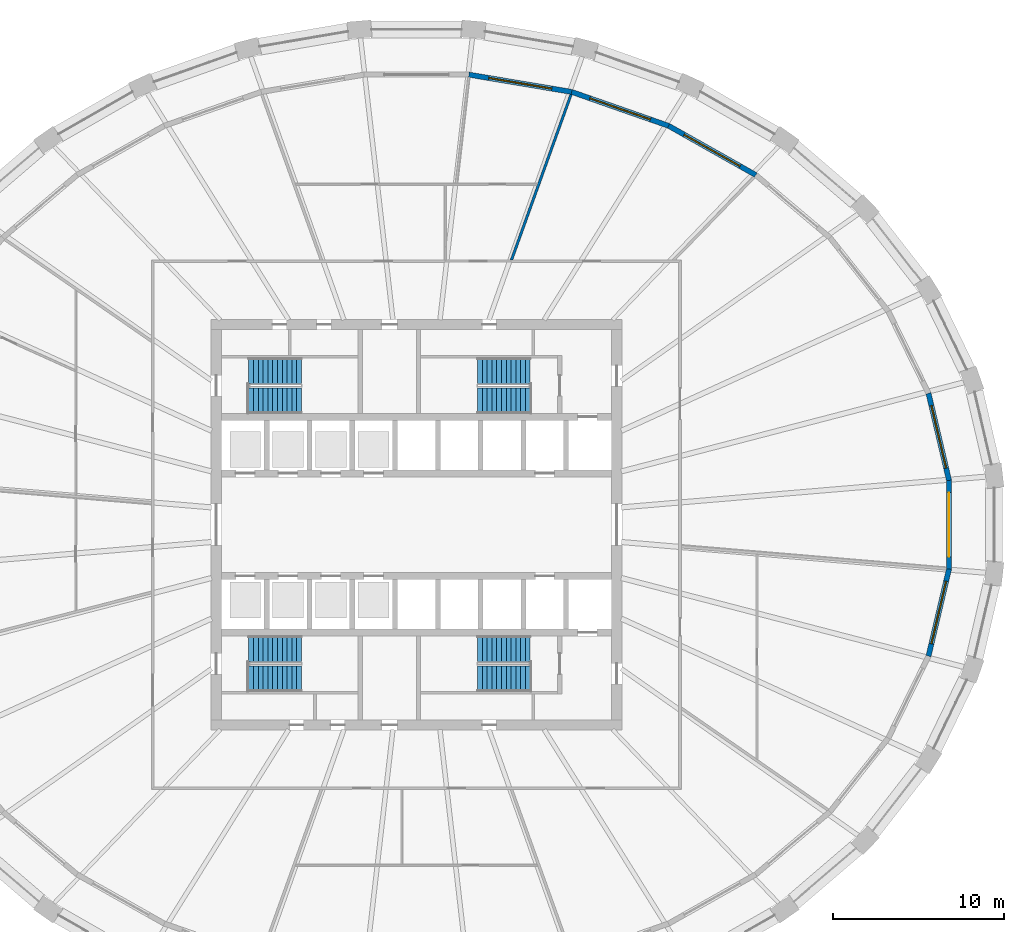
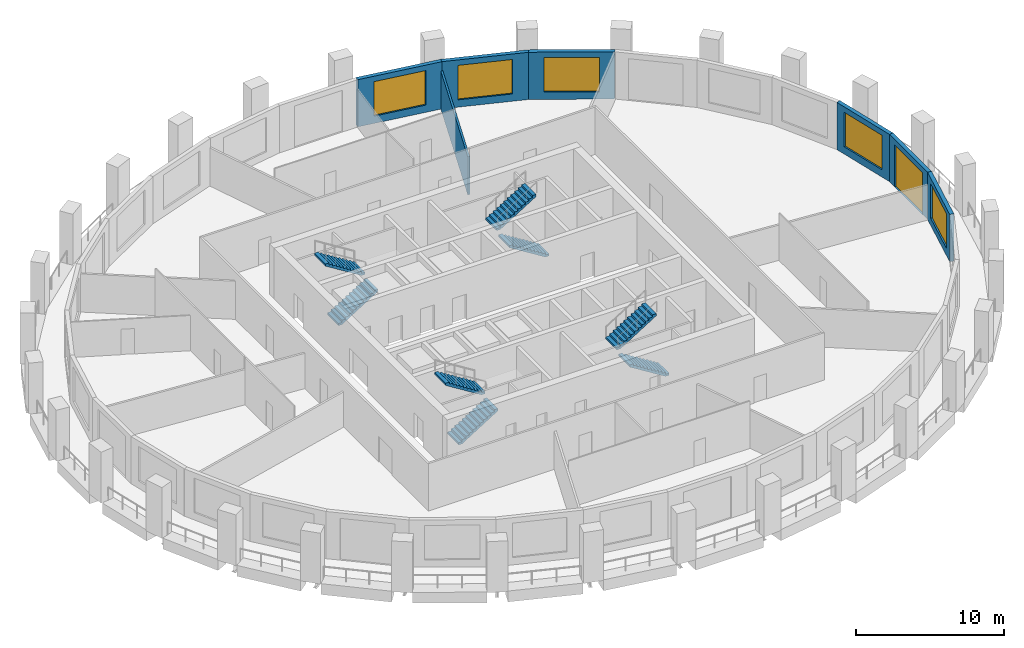
# One storey, part 7 of 10: 8 stair flights, 7 walls, 5 windows, 1 door, 6 openings, 4 elements without a shape of their own.
"""IFC4 building model written with IfcOpenShell, lengths in metres."""

from ifc_helpers import new_model, si_unit, direction, frame, frame_2d, origin, place, context, subcontext, project, spatial, polyline, rectangle, outline, extrude, material, layer, layer_set, type_object, element, fill, aggregate, save


model = new_model("IFC4")

# Units and contexts
model_context = context("Model", 3, precision=1e-05, world=origin(), true_north=direction((0.0, 1.0)))
body_context = subcontext(model_context, "Body", "Model", "MODEL_VIEW")
ifc_project = project(units=[si_unit("LENGTHUNIT", "METRE"), si_unit("AREAUNIT", "SQUARE_METRE"), si_unit("VOLUMEUNIT", "CUBIC_METRE"), si_unit("PLANEANGLEUNIT", "RADIAN"), si_unit("MASSUNIT", "GRAM", prefix="KILO")], contexts=[model_context])

# Site, building, storey
site_placement = place(None, origin())
site = spatial("IfcSite", under=ifc_project, at=site_placement, CompositionType="ELEMENT")
building_placement = place(site_placement, origin())
building = spatial("IfcBuilding", under=site, at=building_placement, Name="Halqa Exchange Tower", CompositionType="ELEMENT")
storey_placement = place(building_placement, frame((0.0, 0.0, 154.89990234375)))
storey = spatial("IfcBuildingStorey", under=building, at=storey_placement, Name="L35", CompositionType="ELEMENT", Elevation=154.89990234375)

# Wall
ifc_material_1 = material(Name="Fire-rated gypsum board")
ifc_layer_1 = layer(ifc_material_1, 0.14990234375)
ifc_layer_set_1 = layer_set([ifc_layer_1], Name="Fire-rated gypsum board")
wall_type_1 = type_object("IfcWallType", Name="Fire partition EI 60 150", PredefinedType="PARTITIONING", material=ifc_layer_set_1)
wall_1_placement = place(storey_placement, frame((5.54248046875, 15.434814453125, 0.0), z_axis=(0.0, 0.0, 1.0), x_axis=(0.338661655399, 0.940908222497, 0.0)))
element("IfcWall", 1, at=wall_1_placement, inside=storey, type_object=wall_type_1, Name="L35-PWL-019", PredefinedType="PARTITIONING", context=body_context, shape_type="SweptSolid", body=[
    extrude(outline(polyline([(10.318115234375, -0.074951171875), (10.318115234375, -0.04296875), (10.317626953125, 0.0029296875), (10.3046875, 0.074951171875), (8.4599609375, 0.074951171875), (6.615234375, 0.074951171875), (4.770263671875, 0.074951171875), (4.677490234375, 0.04150390625), (4.66552734375, 0.074951171875), (3.1103515625, 0.074951171875), (1.55517578125, 0.074951171875), (0.0, 0.074951171875), (0.0, 0.074462890625), (0.01953125, 0.020263671875), (0.03369140625, 0.025390625), (0.069580078125, -0.074951171875), (1.77783203125, -0.074951171875), (3.48583984375, -0.074951171875), (5.19384765625, -0.074951171875), (6.90185546875, -0.074951171875), (8.610107421875, -0.074951171875), (10.318115234375, -0.074951171875)])), origin(), (0.0, 0.0, 1.0), 3.147216796875),
])

# Wall, opening, window
ifc_material_2 = material(Name="Limestone cladding", Category="masonry")
ifc_layer_2 = layer(ifc_material_2, 0.0400390625)
ifc_material_3 = material(Name="Ventilated cavity")
ifc_layer_3 = layer(ifc_material_3, 0.030029296875, ventilated=True)
ifc_material_4 = material(Name="Mineral wool insulation")
ifc_layer_4 = layer(ifc_material_4, 0.10009765625)
ifc_material_5 = material(Name="Concrete C30/37", Category="concrete")
ifc_layer_5 = layer(ifc_material_5, 0.10009765625)
ifc_material_6 = material(Name="Internal plaster")
ifc_layer_6 = layer(ifc_material_6, 0.030029296875)
ifc_layer_set_2 = layer_set([ifc_layer_2, ifc_layer_3, ifc_layer_4, ifc_layer_5, ifc_layer_6], Name="Stone-faced insulated wall 300")
wall_type_2 = type_object("IfcWallType", Name="Stone-faced insulated wall 300", PredefinedType="STANDARD", material=ifc_layer_set_2)
wall_2_placement = place(storey_placement, frame((31.12109375, 2.5927734375, 0.0), z_axis=(0.0, 0.0, 1.0), x_axis=(-0.229297175564, 0.973356463624, 0.0)))
wall_2 = element("IfcWall", 2, at=wall_2_placement, inside=storey, type_object=wall_type_2, Name="Glass-line wall 1", PredefinedType="STANDARD", context=body_context, shape_type="SweptSolid", body=[
    extrude(outline(polyline([(-0.017333984375, -0.14990234375), (5.241455078125, -0.14990234375), (5.207763671875, 0.14990234375), (0.017333984375, 0.14990234375), (-0.017333984375, -0.14990234375)])), origin(), (0.0, 0.0, 1.0), 3.900146484375),
])
opening_1_placement = place(wall_2_placement, frame((0.7373046875, 0.0, 0.60009765625)))
opening_1 = element("IfcOpeningElement", 3, at=opening_1_placement, cuts=wall_2, Name="Opening W-F2-01", PredefinedType="OPENING", context=body_context, shape_type="SweptSolid", body=[
    extrude(rectangle(XDim=3.75, YDim=2.85009765625, at=frame_2d((1.875, 1.425048828125))), frame((0.0, 0.162109375, 0.0), z_axis=(0.0, -1.0, 0.0), x_axis=(1.0, 0.0, 0.0)), (0.0, 0.0, 1.0), 0.323974609375),
])
ifc_material_7 = material(Name="Clear low-emissivity glass in aluminium frame", Category="aluminium")
window_type = type_object("IfcWindowType", Name="Fixed clear glazed window 3750 x 2850", PartitioningType="TRIPLE_PANEL_VERTICAL", PredefinedType="WINDOW", material=ifc_material_7)
window_1_placement = place(opening_1_placement, origin())
window_1 = element("IfcWindow", 4, at=window_1_placement, inside=storey, type_object=window_type, Name="Window 2", OverallHeight=2.85009765625, OverallWidth=3.75, PartitioningType="TRIPLE_PANEL_VERTICAL", PredefinedType="WINDOW", context=body_context, shape_type="SweptSolid", body=[
    extrude(rectangle(XDim=3.75, YDim=2.85009765625, at=frame_2d((1.875, 1.425048828125))), frame((0.0, 0.030029296875, 0.0), z_axis=(0.0, -1.0, 0.0), x_axis=(1.0, 0.0, 0.0)), (0.0, 0.0, 1.0), 0.06005859375),
])
fill(opening_1, window_1)

wall_3_placement = place(storey_placement, frame((19.8291015625, 20.434814453125, 0.0), z_axis=(0.0, 0.0, 1.0), x_axis=(-0.870982130072, 0.491314694565, 0.0)))
wall_3 = element("IfcWall", 5, at=wall_3_placement, inside=storey, type_object=wall_type_2, Name="Glass-line wall 5", PredefinedType="STANDARD", context=body_context, shape_type="SweptSolid", body=[
    extrude(outline(polyline([(-0.01416015625, -0.14990234375), (5.864990234375, -0.14990234375), (5.838134765625, 0.14990234375), (0.01416015625, 0.14990234375), (-0.01416015625, -0.14990234375)])), origin(), (0.0, 0.0, 1.0), 3.900146484375),
])
opening_2_placement = place(wall_3_placement, frame((1.05078125, 0.0, 0.60009765625)))
opening_2 = element("IfcOpeningElement", 6, at=opening_2_placement, cuts=wall_3, Name="Opening W-F2-05", PredefinedType="OPENING", context=body_context, shape_type="SweptSolid", body=[
    extrude(rectangle(XDim=3.75, YDim=2.85009765625, at=frame_2d((1.875, 1.425048828125))), frame((0.0, 0.162109375, 0.0), z_axis=(0.0, -1.0, 0.0), x_axis=(1.0, 0.0, 0.0)), (0.0, 0.0, 1.0), 0.323974609375),
])
window_2_placement = place(opening_2_placement, origin())
window_2 = element("IfcWindow", 7, at=window_2_placement, inside=storey, type_object=window_type, Name="Window 2", OverallHeight=2.85009765625, OverallWidth=3.75, PartitioningType="TRIPLE_PANEL_VERTICAL", PredefinedType="WINDOW", context=body_context, shape_type="SweptSolid", body=[
    extrude(rectangle(XDim=3.75, YDim=2.85009765625, at=frame_2d((1.875, 1.425048828125))), frame((0.0, 0.030029296875, 0.0), z_axis=(0.0, -1.0, 0.0), x_axis=(1.0, 0.0, 0.0)), (0.0, 0.0, 1.0), 0.06005859375),
])
fill(opening_2, window_2)

wall_4_placement = place(storey_placement, frame((14.732421875, 23.309814453125, 0.0), z_axis=(0.0, 0.0, 1.0), x_axis=(-0.943944636678, 0.330103806228, 0.0)))
wall_4 = element("IfcWall", 8, at=wall_4_placement, inside=storey, type_object=wall_type_2, Name="Glass-line wall 6", PredefinedType="STANDARD", context=body_context, shape_type="SweptSolid", body=[
    extrude(outline(polyline([(-0.013427734375, -0.14990234375), (6.010009765625, -0.14990234375), (5.984619140625, 0.14990234375), (0.013427734375, 0.14990234375), (-0.013427734375, -0.14990234375)])), origin(), (0.0, 0.0, 1.0), 3.900146484375),
])
opening_3_placement = place(wall_4_placement, frame((1.12353515625, 0.0, 0.60009765625)))
opening_3 = element("IfcOpeningElement", 9, at=opening_3_placement, cuts=wall_4, Name="Opening W-F2-06", PredefinedType="OPENING", context=body_context, shape_type="SweptSolid", body=[
    extrude(rectangle(XDim=3.75, YDim=2.85009765625, at=frame_2d((1.875, 1.425048828125))), frame((0.0, 0.162109375, 0.0), z_axis=(0.0, -1.0, 0.0), x_axis=(1.0, 0.0, 0.0)), (0.0, 0.0, 1.0), 0.323974609375),
])
window_3_placement = place(opening_3_placement, origin())
window_3 = element("IfcWindow", 10, at=window_3_placement, inside=storey, type_object=window_type, Name="Window 2", OverallHeight=2.85009765625, OverallWidth=3.75, PartitioningType="TRIPLE_PANEL_VERTICAL", PredefinedType="WINDOW", context=body_context, shape_type="SweptSolid", body=[
    extrude(rectangle(XDim=3.75, YDim=2.85009765625, at=frame_2d((1.875, 1.425048828125))), frame((0.0, 0.030029296875, 0.0), z_axis=(0.0, -1.0, 0.0), x_axis=(1.0, 0.0, 0.0)), (0.0, 0.0, 1.0), 0.06005859375),
])
fill(opening_3, window_3)

wall_5_placement = place(storey_placement, frame((9.0712890625, 25.28955078125, 0.0), z_axis=(0.0, 0.0, 1.0), x_axis=(-0.98618955457, 0.165620537547, 0.0)))
wall_5 = element("IfcWall", 11, at=wall_5_placement, inside=storey, type_object=wall_type_2, Name="Glass-line wall 7", PredefinedType="STANDARD", context=body_context, shape_type="SweptSolid", body=[
    extrude(outline(polyline([(-0.0126953125, -0.14990234375), (6.10498046875, -0.14990234375), (6.080078125, 0.14990234375), (0.0126953125, 0.14990234375), (-0.0126953125, -0.14990234375)])), origin(), (0.0, 0.0, 1.0), 3.900146484375),
])
opening_4_placement = place(wall_5_placement, frame((1.17138671875, 0.0, 0.60009765625)))
opening_4 = element("IfcOpeningElement", 12, at=opening_4_placement, cuts=wall_5, Name="Opening W-F2-07", PredefinedType="OPENING", context=body_context, shape_type="SweptSolid", body=[
    extrude(rectangle(XDim=3.75, YDim=2.85009765625, at=frame_2d((1.875, 1.425048828125))), frame((0.0, 0.162109375, 0.0), z_axis=(0.0, -1.0, 0.0), x_axis=(1.0, 0.0, 0.0)), (0.0, 0.0, 1.0), 0.323974609375),
])
window_4_placement = place(opening_4_placement, origin())
window_4 = element("IfcWindow", 13, at=window_4_placement, inside=storey, type_object=window_type, Name="Window 2", OverallHeight=2.85009765625, OverallWidth=3.75, PartitioningType="TRIPLE_PANEL_VERTICAL", PredefinedType="WINDOW", context=body_context, shape_type="SweptSolid", body=[
    extrude(rectangle(XDim=3.75, YDim=2.85009765625, at=frame_2d((1.875, 1.425048828125))), frame((0.0, 0.030029296875, 0.0), z_axis=(0.0, -1.0, 0.0), x_axis=(1.0, 0.0, 0.0)), (0.0, 0.0, 1.0), 0.06005859375),
])
fill(opening_4, window_4)

wall_6_placement = place(storey_placement, frame((29.923095703125, -7.67822265625, 0.0), z_axis=(0.0, 0.0, 1.0), x_axis=(0.229297175564, 0.973356463624, 0.0)))
wall_6 = element("IfcWall", 14, at=wall_6_placement, inside=storey, type_object=wall_type_2, Name="Glass-line wall 31", PredefinedType="STANDARD", context=body_context, shape_type="SweptSolid", body=[
    extrude(outline(polyline([(-0.016845703125, -0.14990234375), (5.241943359375, -0.14990234375), (5.207275390625, 0.14990234375), (0.016845703125, 0.14990234375), (-0.016845703125, -0.14990234375)])), origin(), (0.0, 0.0, 1.0), 3.900146484375),
])
opening_5_placement = place(wall_6_placement, frame((0.7373046875, 0.0, 0.60009765625)))
opening_5 = element("IfcOpeningElement", 15, at=opening_5_placement, cuts=wall_6, Name="Opening W-F2-31", PredefinedType="OPENING", context=body_context, shape_type="SweptSolid", body=[
    extrude(rectangle(XDim=3.75, YDim=2.85009765625, at=frame_2d((1.875, 1.425048828125))), frame((0.0, 0.162109375, 0.0), z_axis=(0.0, -1.0, 0.0), x_axis=(1.0, 0.0, 0.0)), (0.0, 0.0, 1.0), 0.323974609375),
])
window_5_placement = place(opening_5_placement, origin())
window_5 = element("IfcWindow", 16, at=window_5_placement, inside=storey, type_object=window_type, Name="Window 2", OverallHeight=2.85009765625, OverallWidth=3.75, PartitioningType="TRIPLE_PANEL_VERTICAL", PredefinedType="WINDOW", context=body_context, shape_type="SweptSolid", body=[
    extrude(rectangle(XDim=3.75, YDim=2.85009765625, at=frame_2d((1.875, 1.425048828125))), frame((0.0, 0.030029296875, 0.0), z_axis=(0.0, -1.0, 0.0), x_axis=(1.0, 0.0, 0.0)), (0.0, 0.0, 1.0), 0.06005859375),
])
fill(opening_5, window_5)

# Wall, opening, door
wall_7_placement = place(storey_placement, frame((31.12109375, -2.5927734375, 0.0), z_axis=(0.0, 0.0, 1.0), x_axis=(0.0, 1.0, 0.0)))
wall_7 = element("IfcWall", 17, at=wall_7_placement, inside=storey, type_object=wall_type_2, Name="Glass-line wall 32", PredefinedType="STANDARD", context=body_context, shape_type="SweptSolid", body=[
    extrude(outline(polyline([(-0.017333984375, -0.14990234375), (5.202880859375, -0.14990234375), (5.168212890625, 0.14990234375), (0.017333984375, 0.14990234375), (-0.017333984375, -0.14990234375)])), origin(), (0.0, 0.0, 1.0), 3.900146484375),
])
opening_6_placement = place(wall_7_placement, frame((0.7177734375, 0.0, 0.0)))
opening_6 = element("IfcOpeningElement", 18, at=opening_6_placement, cuts=wall_7, Name="Opening LG-F2-08", PredefinedType="OPENING", context=body_context, shape_type="SweptSolid", body=[
    extrude(rectangle(XDim=3.75, YDim=3.449951171875, at=frame_2d((1.875, 1.72509765625))), frame((0.0, 0.162109375, 0.0), z_axis=(0.0, -1.0, 0.0), x_axis=(1.0, 0.0, 0.0)), (0.0, 0.0, 1.0), 0.323974609375),
])
door_type = type_object("IfcDoorType", Name="Glazed sliding loggia door 3750 x 3450", OperationType="DOUBLE_DOOR_SLIDING", PredefinedType="DOOR", material=ifc_material_7)
door_placement = place(opening_6_placement, origin())
door = element("IfcDoor", 19, at=door_placement, inside=storey, type_object=door_type, Name="Loggia door 8", OperationType="DOUBLE_DOOR_SLIDING", OverallHeight=3.449951171875, OverallWidth=3.75, PredefinedType="DOOR", context=body_context, shape_type="SweptSolid", body=[
    extrude(rectangle(XDim=3.75, YDim=3.449951171875, at=frame_2d((1.875, 1.72509765625))), frame((0.0, 0.02490234375, 0.0), z_axis=(0.0, -1.0, 0.0), x_axis=(1.0, 0.0, 0.0)), (0.0, 0.0, 1.0), 0.050048828125),
])
fill(opening_6, door)

# Stair, stair flights
stair_type = type_object("IfcStairType", Name="Exit stair 1500 wide", PredefinedType="HALF_TURN_STAIR", material=ifc_material_5)
stair_1_placement = place(storey_placement, origin())
stair_1 = element("IfcStair", 20, at=stair_1_placement, inside=storey, type_object=stair_type, Name="Exit stair ST1", PredefinedType="HALF_TURN_STAIR")
stair_flight_type = type_object("IfcStairFlightType", Name="Stair flight 1500 wide", PredefinedType="STRAIGHT", material=ifc_material_5)
stair_flight_1_placement = place(storey_placement, frame((-9.800048828125, 7.25, 0.0), z_axis=(0.0, 0.0, 1.0), x_axis=(1.0, 0.0, 0.0)))
stair_flight_1 = element("IfcStairFlight", 21, at=stair_flight_1_placement, type_object=stair_flight_type, Name="ST1 flight 1", NumberOfRisers=12, NumberOfTreads=11, PredefinedType="STRAIGHT", RiserHeight=0.175, TreadLength=0.28, context=body_context, shape_type="SweptSolid", body=[
    extrude(outline(polyline([(0.0, 0.0), (0.0, 0.175048828125), (0.280029296875, 0.175048828125), (0.280029296875, 0.35009765625), (0.56005859375, 0.35009765625), (0.56005859375, 0.52490234375), (0.840087890625, 0.52490234375), (0.840087890625, 0.699951171875), (1.1201171875, 0.699951171875), (1.1201171875, 0.875), (1.39990234375, 0.875), (1.39990234375, 1.050048828125), (1.679931640625, 1.050048828125), (1.679931640625, 1.22509765625), (1.9599609375, 1.22509765625), (1.9599609375, 1.39990234375), (2.239990234375, 1.39990234375), (2.239990234375, 1.574951171875), (2.52001953125, 1.574951171875), (2.52001953125, 1.75), (2.800048828125, 1.75), (2.800048828125, 1.925048828125), (3.080078125, 1.925048828125), (3.080078125, 2.10009765625), (3.080078125, 1.748291015625), (0.28271484375, 0.0), (0.0, 0.0)])), frame((0.0, 0.75, 0.0), z_axis=(0.0, -1.0, 0.0), x_axis=(1.0, 0.0, 0.0)), (0.0, 0.0, 1.0), 1.5),
])
stair_flight_2_placement = place(storey_placement, frame((-6.719970703125, 9.0, 2.10009765625), z_axis=(0.0, 0.0, 1.0), x_axis=(-1.0, 0.0, 0.0)))
stair_flight_2 = element("IfcStairFlight", 22, at=stair_flight_2_placement, type_object=stair_flight_type, Name="ST1 flight 2", NumberOfRisers=12, NumberOfTreads=11, PredefinedType="STRAIGHT", RiserHeight=0.175, TreadLength=0.28, context=body_context, shape_type="SweptSolid", body=[
    extrude(outline(polyline([(0.0, 0.0), (0.0, 0.175048828125), (0.280029296875, 0.175048828125), (0.280029296875, 0.35009765625), (0.56005859375, 0.35009765625), (0.56005859375, 0.52490234375), (0.840087890625, 0.52490234375), (0.840087890625, 0.699951171875), (1.1201171875, 0.699951171875), (1.1201171875, 0.875), (1.39990234375, 0.875), (1.39990234375, 1.050048828125), (1.679931640625, 1.050048828125), (1.679931640625, 1.22509765625), (1.9599609375, 1.22509765625), (1.9599609375, 1.39990234375), (2.239990234375, 1.39990234375), (2.239990234375, 1.574951171875), (2.52001953125, 1.574951171875), (2.52001953125, 1.75), (2.800048828125, 1.75), (2.800048828125, 1.925048828125), (3.080078125, 1.925048828125), (3.080078125, 2.10009765625), (3.080078125, 1.748291015625), (0.28271484375, 0.0), (0.0, 0.0)])), frame((0.0, 0.75, 0.0), z_axis=(0.0, -1.0, 0.0), x_axis=(1.0, 0.0, 0.0)), (0.0, 0.0, 1.0), 1.5),
])
aggregate(stair_1, [stair_flight_1, stair_flight_2])

stair_2_placement = place(storey_placement, origin())
stair_2 = element("IfcStair", 23, at=stair_2_placement, inside=storey, type_object=stair_type, Name="Exit stair ST2", PredefinedType="HALF_TURN_STAIR")
stair_flight_3_placement = place(storey_placement, frame((6.64990234375, 7.25, 0.0), z_axis=(0.0, 0.0, 1.0), x_axis=(-1.0, 0.0, 0.0)))
stair_flight_3 = element("IfcStairFlight", 24, at=stair_flight_3_placement, type_object=stair_flight_type, Name="ST2 flight 1", NumberOfRisers=12, NumberOfTreads=11, PredefinedType="STRAIGHT", RiserHeight=0.175, TreadLength=0.28, context=body_context, shape_type="SweptSolid", body=[
    extrude(outline(polyline([(0.0, 0.0), (0.0, 0.175048828125), (0.280029296875, 0.175048828125), (0.280029296875, 0.35009765625), (0.56005859375, 0.35009765625), (0.56005859375, 0.52490234375), (0.840087890625, 0.52490234375), (0.840087890625, 0.699951171875), (1.1201171875, 0.699951171875), (1.1201171875, 0.875), (1.39990234375, 0.875), (1.39990234375, 1.050048828125), (1.679931640625, 1.050048828125), (1.679931640625, 1.22509765625), (1.9599609375, 1.22509765625), (1.9599609375, 1.39990234375), (2.239990234375, 1.39990234375), (2.239990234375, 1.574951171875), (2.52001953125, 1.574951171875), (2.52001953125, 1.75), (2.800048828125, 1.75), (2.800048828125, 1.925048828125), (3.080078125, 1.925048828125), (3.080078125, 2.10009765625), (3.080078125, 1.748291015625), (0.28271484375, 0.0), (0.0, 0.0)])), frame((0.0, 0.75, 0.0), z_axis=(0.0, -1.0, 0.0), x_axis=(1.0, 0.0, 0.0)), (0.0, 0.0, 1.0), 1.5),
])
stair_flight_4_placement = place(storey_placement, frame((3.570068359375, 9.0, 2.10009765625), z_axis=(0.0, 0.0, 1.0), x_axis=(1.0, 0.0, 0.0)))
stair_flight_4 = element("IfcStairFlight", 25, at=stair_flight_4_placement, type_object=stair_flight_type, Name="ST2 flight 2", NumberOfRisers=12, NumberOfTreads=11, PredefinedType="STRAIGHT", RiserHeight=0.175, TreadLength=0.28, context=body_context, shape_type="SweptSolid", body=[
    extrude(outline(polyline([(0.0, 0.0), (0.0, 0.175048828125), (0.280029296875, 0.175048828125), (0.280029296875, 0.35009765625), (0.56005859375, 0.35009765625), (0.56005859375, 0.52490234375), (0.840087890625, 0.52490234375), (0.840087890625, 0.699951171875), (1.1201171875, 0.699951171875), (1.1201171875, 0.875), (1.39990234375, 0.875), (1.39990234375, 1.050048828125), (1.679931640625, 1.050048828125), (1.679931640625, 1.22509765625), (1.9599609375, 1.22509765625), (1.9599609375, 1.39990234375), (2.239990234375, 1.39990234375), (2.239990234375, 1.574951171875), (2.52001953125, 1.574951171875), (2.52001953125, 1.75), (2.800048828125, 1.75), (2.800048828125, 1.925048828125), (3.080078125, 1.925048828125), (3.080078125, 2.10009765625), (3.080078125, 1.748291015625), (0.28271484375, 0.0), (0.0, 0.0)])), frame((0.0, 0.75, 0.0), z_axis=(0.0, -1.0, 0.0), x_axis=(1.0, 0.0, 0.0)), (0.0, 0.0, 1.0), 1.5),
])
aggregate(stair_2, [stair_flight_3, stair_flight_4])

stair_3_placement = place(storey_placement, origin())
stair_3 = element("IfcStair", 26, at=stair_3_placement, inside=storey, type_object=stair_type, Name="Exit stair ST3", PredefinedType="HALF_TURN_STAIR")
stair_flight_5_placement = place(storey_placement, frame((-9.800048828125, -9.0, 0.0), z_axis=(0.0, 0.0, 1.0), x_axis=(1.0, 0.0, 0.0)))
stair_flight_5 = element("IfcStairFlight", 27, at=stair_flight_5_placement, type_object=stair_flight_type, Name="ST3 flight 1", NumberOfRisers=12, NumberOfTreads=11, PredefinedType="STRAIGHT", RiserHeight=0.175, TreadLength=0.28, context=body_context, shape_type="SweptSolid", body=[
    extrude(outline(polyline([(0.0, 0.0), (0.0, 0.175048828125), (0.280029296875, 0.175048828125), (0.280029296875, 0.35009765625), (0.56005859375, 0.35009765625), (0.56005859375, 0.52490234375), (0.840087890625, 0.52490234375), (0.840087890625, 0.699951171875), (1.1201171875, 0.699951171875), (1.1201171875, 0.875), (1.39990234375, 0.875), (1.39990234375, 1.050048828125), (1.679931640625, 1.050048828125), (1.679931640625, 1.22509765625), (1.9599609375, 1.22509765625), (1.9599609375, 1.39990234375), (2.239990234375, 1.39990234375), (2.239990234375, 1.574951171875), (2.52001953125, 1.574951171875), (2.52001953125, 1.75), (2.800048828125, 1.75), (2.800048828125, 1.925048828125), (3.080078125, 1.925048828125), (3.080078125, 2.10009765625), (3.080078125, 1.748291015625), (0.28271484375, 0.0), (0.0, 0.0)])), frame((0.0, 0.75, 0.0), z_axis=(0.0, -1.0, 0.0), x_axis=(1.0, 0.0, 0.0)), (0.0, 0.0, 1.0), 1.5),
])
stair_flight_6_placement = place(storey_placement, frame((-6.719970703125, -7.25, 2.10009765625), z_axis=(0.0, 0.0, 1.0), x_axis=(-1.0, 0.0, 0.0)))
stair_flight_6 = element("IfcStairFlight", 28, at=stair_flight_6_placement, type_object=stair_flight_type, Name="ST3 flight 2", NumberOfRisers=12, NumberOfTreads=11, PredefinedType="STRAIGHT", RiserHeight=0.175, TreadLength=0.28, context=body_context, shape_type="SweptSolid", body=[
    extrude(outline(polyline([(0.0, 0.0), (0.0, 0.175048828125), (0.280029296875, 0.175048828125), (0.280029296875, 0.35009765625), (0.56005859375, 0.35009765625), (0.56005859375, 0.52490234375), (0.840087890625, 0.52490234375), (0.840087890625, 0.699951171875), (1.1201171875, 0.699951171875), (1.1201171875, 0.875), (1.39990234375, 0.875), (1.39990234375, 1.050048828125), (1.679931640625, 1.050048828125), (1.679931640625, 1.22509765625), (1.9599609375, 1.22509765625), (1.9599609375, 1.39990234375), (2.239990234375, 1.39990234375), (2.239990234375, 1.574951171875), (2.52001953125, 1.574951171875), (2.52001953125, 1.75), (2.800048828125, 1.75), (2.800048828125, 1.925048828125), (3.080078125, 1.925048828125), (3.080078125, 2.10009765625), (3.080078125, 1.748291015625), (0.28271484375, 0.0), (0.0, 0.0)])), frame((0.0, 0.75, 0.0), z_axis=(0.0, -1.0, 0.0), x_axis=(1.0, 0.0, 0.0)), (0.0, 0.0, 1.0), 1.5),
])
aggregate(stair_3, [stair_flight_5, stair_flight_6])

stair_4_placement = place(storey_placement, origin())
stair_4 = element("IfcStair", 29, at=stair_4_placement, inside=storey, type_object=stair_type, Name="Exit stair ST4", PredefinedType="HALF_TURN_STAIR")
stair_flight_7_placement = place(storey_placement, frame((6.64990234375, -9.0, 0.0), z_axis=(0.0, 0.0, 1.0), x_axis=(-1.0, 0.0, 0.0)))
stair_flight_7 = element("IfcStairFlight", 30, at=stair_flight_7_placement, type_object=stair_flight_type, Name="ST4 flight 1", NumberOfRisers=12, NumberOfTreads=11, PredefinedType="STRAIGHT", RiserHeight=0.175, TreadLength=0.28, context=body_context, shape_type="SweptSolid", body=[
    extrude(outline(polyline([(0.0, 0.0), (0.0, 0.175048828125), (0.280029296875, 0.175048828125), (0.280029296875, 0.35009765625), (0.56005859375, 0.35009765625), (0.56005859375, 0.52490234375), (0.840087890625, 0.52490234375), (0.840087890625, 0.699951171875), (1.1201171875, 0.699951171875), (1.1201171875, 0.875), (1.39990234375, 0.875), (1.39990234375, 1.050048828125), (1.679931640625, 1.050048828125), (1.679931640625, 1.22509765625), (1.9599609375, 1.22509765625), (1.9599609375, 1.39990234375), (2.239990234375, 1.39990234375), (2.239990234375, 1.574951171875), (2.52001953125, 1.574951171875), (2.52001953125, 1.75), (2.800048828125, 1.75), (2.800048828125, 1.925048828125), (3.080078125, 1.925048828125), (3.080078125, 2.10009765625), (3.080078125, 1.748291015625), (0.28271484375, 0.0), (0.0, 0.0)])), frame((0.0, 0.75, 0.0), z_axis=(0.0, -1.0, 0.0), x_axis=(1.0, 0.0, 0.0)), (0.0, 0.0, 1.0), 1.5),
])
stair_flight_8_placement = place(storey_placement, frame((3.570068359375, -7.25, 2.10009765625), z_axis=(0.0, 0.0, 1.0), x_axis=(1.0, 0.0, 0.0)))
stair_flight_8 = element("IfcStairFlight", 31, at=stair_flight_8_placement, type_object=stair_flight_type, Name="ST4 flight 2", NumberOfRisers=12, NumberOfTreads=11, PredefinedType="STRAIGHT", RiserHeight=0.175, TreadLength=0.28, context=body_context, shape_type="SweptSolid", body=[
    extrude(outline(polyline([(0.0, 0.0), (0.0, 0.175048828125), (0.280029296875, 0.175048828125), (0.280029296875, 0.35009765625), (0.56005859375, 0.35009765625), (0.56005859375, 0.52490234375), (0.840087890625, 0.52490234375), (0.840087890625, 0.699951171875), (1.1201171875, 0.699951171875), (1.1201171875, 0.875), (1.39990234375, 0.875), (1.39990234375, 1.050048828125), (1.679931640625, 1.050048828125), (1.679931640625, 1.22509765625), (1.9599609375, 1.22509765625), (1.9599609375, 1.39990234375), (2.239990234375, 1.39990234375), (2.239990234375, 1.574951171875), (2.52001953125, 1.574951171875), (2.52001953125, 1.75), (2.800048828125, 1.75), (2.800048828125, 1.925048828125), (3.080078125, 1.925048828125), (3.080078125, 2.10009765625), (3.080078125, 1.748291015625), (0.28271484375, 0.0), (0.0, 0.0)])), frame((0.0, 0.75, 0.0), z_axis=(0.0, -1.0, 0.0), x_axis=(1.0, 0.0, 0.0)), (0.0, 0.0, 1.0), 1.5),
])
aggregate(stair_4, [stair_flight_7, stair_flight_8])

save(model, "model.ifc")
